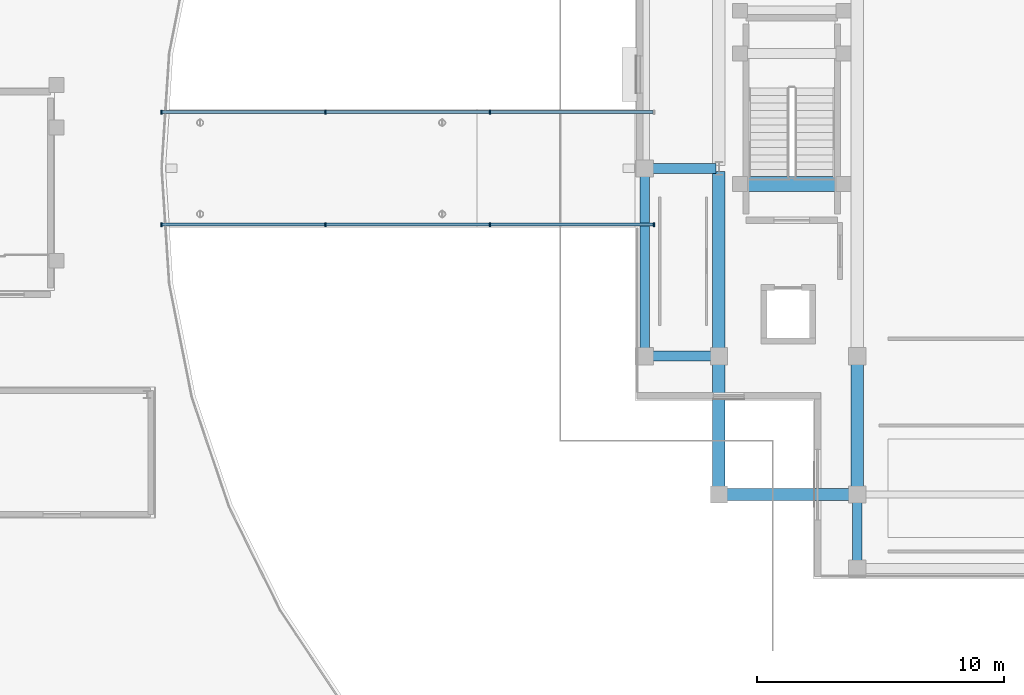
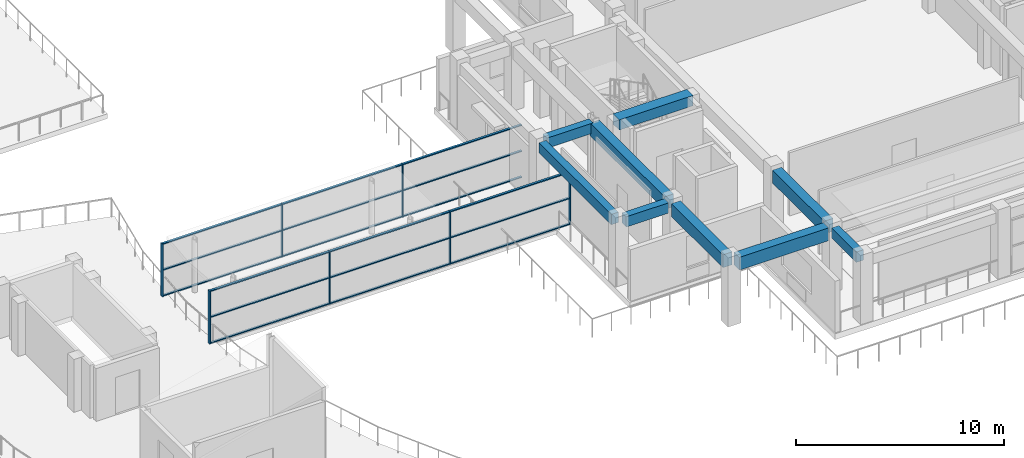
# One storey, part 12 of 53: 25 members, 9 beams, 2 elements without a shape of their own.
"""IFC4 building model written with IfcOpenShell, lengths in metres."""

import ifcopenshell
import ifcopenshell.guid

model = None  # the IFC model being written
_history = None  # IfcOwnerHistory: only IFC2X3 demands one
_inside = {}  # id of a spatial element -> (the spatial element, [elements in it])
_under = {}  # id of a project, library or spatial element -> (it, [spatial elements below it])
_declared = {}  # id of a project -> (the project, [libraries it declares])
_typed = {}  # id of a type object -> (the type object, [elements of that type])
_made_of = {}  # id of a material, layer set ... -> (it, [elements and type objects made of it])


def new_model(schema):
    """Start an empty IFC model of exactly this schema.

    Asked for "IFC4X3", IfcOpenShell would pick the latest addendum, in which some entities
    have other attributes; the version numbers below select the first issue.
    IFC2X3 requires an IfcOwnerHistory on every rooted entity: one is made here for all.
    """
    global model, _history
    if schema == "IFC4X3":
        model = ifcopenshell.file(schema_version=(4, 3, 0, 0))
    else:
        model = ifcopenshell.file(schema=schema)
    _inside.clear()
    _under.clear()
    _declared.clear()
    _typed.clear()
    _made_of.clear()
    _history = None
    if model.schema == "IFC2X3":
        org = make("IfcOrganization", Name="unknown")
        user = make(
            "IfcPersonAndOrganization",
            ThePerson=make("IfcPerson", FamilyName="unknown"),
            TheOrganization=org,
        )
        app = make(
            "IfcApplication",
            ApplicationDeveloper=org,
            Version="unknown",
            ApplicationFullName="unknown",
            ApplicationIdentifier="unknown",
        )
        _history = make(
            "IfcOwnerHistory",
            OwningUser=user,
            OwningApplication=app,
            ChangeAction="ADDED",
            CreationDate=0,
        )
    return model


def make(cls, **values):
    """One entity of the class cls with the attributes given. An attribute that is None is left unset."""
    return model.create_entity(
        cls, **{name: value for name, value in values.items() if value is not None}
    )


def rooted(cls, **values):
    """An entity with a GlobalId (a new one), such as an element, a storey or a relation."""
    return make(cls, GlobalId=ifcopenshell.guid.new(), OwnerHistory=_history, **values)


def si_unit(unit_type, name, prefix=None):
    """IfcSIUnit, for example si_unit("LENGTHUNIT", "METRE", prefix="MILLI")."""
    return make("IfcSIUnit", UnitType=unit_type, Prefix=prefix, Name=name)


def assignment(units):
    """IfcUnitAssignment: the units of a project."""
    return None if units is None else make("IfcUnitAssignment", Units=units)


def point(xyz):
    """IfcCartesianPoint."""
    return None if xyz is None else make("IfcCartesianPoint", Coordinates=xyz)


def direction(xyz):
    """IfcDirection."""
    return None if xyz is None else make("IfcDirection", DirectionRatios=xyz)


def frame(location, z_axis=None, x_axis=None):
    """IfcAxis2Placement3D, a coordinate frame: its origin and axes. An axis left out is left unset."""
    return make(
        "IfcAxis2Placement3D",
        Location=point(location),
        Axis=direction(z_axis),
        RefDirection=direction(x_axis),
    )


def frame_2d(location, x_axis=None):
    """IfcAxis2Placement2D, a coordinate frame in the plane: its origin and x axis."""
    return make(
        "IfcAxis2Placement2D", Location=point(location), RefDirection=direction(x_axis)
    )


def origin():
    """The frame at (0, 0, 0) with its axes left unset."""
    return frame((0.0, 0.0, 0.0))


def origin_2d():
    """The frame at (0, 0) in the plane with its x axis left unset."""
    return frame_2d((0.0, 0.0))


def place(relative_to, where):
    """IfcLocalPlacement: puts the frame where relative to a parent placement (None: the world)."""
    return make(
        "IfcLocalPlacement", PlacementRelTo=relative_to, RelativePlacement=where
    )


def context(
    kind, dimensions, precision=None, world=None, true_north=None, identifier=None
):
    """IfcGeometricRepresentationContext, for example the 3D "Model" context."""
    return make(
        "IfcGeometricRepresentationContext",
        ContextIdentifier=identifier,
        ContextType=kind,
        CoordinateSpaceDimension=dimensions,
        Precision=precision,
        WorldCoordinateSystem=world,
        TrueNorth=true_north,
    )


def subcontext(parent, identifier, kind, view, scale=None):
    """IfcGeometricRepresentationSubContext, for example "Body" below "Model"."""
    return make(
        "IfcGeometricRepresentationSubContext",
        ContextIdentifier=identifier,
        ContextType=kind,
        ParentContext=parent,
        TargetScale=scale,
        TargetView=view,
    )


def project(units=None, contexts=None):
    """IfcProject with its units and contexts."""
    return rooted(
        "IfcProject",
        Name="project",
        RepresentationContexts=contexts,
        UnitsInContext=assignment(units),
    )


def spatial(cls, under=None, at=None, **own):
    """A site, building, storey or space (cls), placed at a placement, below another one or the project."""
    s = rooted(cls, ObjectPlacement=at, **own)
    if under is not None:
        _under.setdefault(under.id(), (under, []))[1].append(s)
    return s


def profile(cls, at=None, kind="AREA", **sizes):
    """A parametric profile (cls). Its sizes go by their IFC names, for example OverallWidth=200.0."""
    return make(cls, ProfileType=kind, Position=at, **sizes)


def rectangle(**sizes):
    """IfcRectangleProfileDef."""
    return profile("IfcRectangleProfileDef", **sizes)


def extrude(swept, where, along, depth):
    """IfcExtrudedAreaSolid: the profile swept, set in the frame where, extruded along a direction by depth."""
    return make(
        "IfcExtrudedAreaSolid",
        SweptArea=swept,
        Position=where,
        ExtrudedDirection=direction(along),
        Depth=depth,
    )


def shape(context_of_items, identifier, shape_type, items):
    """IfcShapeRepresentation: the items that make up one representation, for example the "Body"."""
    return make(
        "IfcShapeRepresentation",
        ContextOfItems=context_of_items,
        RepresentationIdentifier=identifier,
        RepresentationType=shape_type,
        Items=items,
    )


def material(Name=None, Category=None):
    """IfcMaterial."""
    return make("IfcMaterial", Name=Name, Category=Category)


def material_profile(
    of_material, cross_section, Name=None, Category=None, Priority=None
):
    """IfcMaterialProfile: a cross section and its material."""
    return make(
        "IfcMaterialProfile",
        Name=Name,
        Material=of_material,
        Profile=cross_section,
        Priority=Priority,
        Category=Category,
    )


def profile_set(profiles, Name=None, composite=None):
    """IfcMaterialProfileSet."""
    return make(
        "IfcMaterialProfileSet",
        Name=Name,
        MaterialProfiles=profiles,
        CompositeProfile=composite,
    )


def made_of(thing, what):
    """Note that an element or type object is made of a material, layer set ...; save() writes the relation."""
    if what is not None:
        _made_of.setdefault(what.id(), (what, []))[1].append(thing)
    return thing


def type_object(cls, material=None, **own):
    """A type object (cls), such as IfcWallType, which elements share."""
    return made_of(rooted(cls, **own), material)


def element(
    cls,
    number,
    at=None,
    inside=None,
    cuts=None,
    type_object=None,
    material=None,
    context=None,
    identifier="Body",
    shape_type=None,
    held_by="IfcProductDefinitionShape",
    body=None,
    shapes=None,
    **own,
):
    """One element of the class cls, such as IfcWall. Its Tag is "e" and its number.

    at: its placement. inside: the storey or other place that contains it. cuts: it is an
    opening in that element (IfcRelVoidsElement). A single representation is given by context,
    identifier, shape_type and body (its items); several are given by shapes. held_by: the class
    of the entity that holds the representations. save() writes the other relations.
    """
    e = rooted(cls, Tag="e%d" % number, ObjectPlacement=at, **own)
    if body is not None:
        shapes = [shape(context, identifier, shape_type, body)]
    if shapes is not None:
        e.Representation = make(held_by, Representations=shapes)
    if inside is not None:
        _inside.setdefault(inside.id(), (inside, []))[1].append(e)
    if cuts is not None:
        rooted(
            "IfcRelVoidsElement", RelatingBuildingElement=cuts, RelatedOpeningElement=e
        )
    if type_object is not None:
        _typed.setdefault(type_object.id(), (type_object, []))[1].append(e)
    return made_of(e, material)


def aggregate(whole, parts):
    """IfcRelAggregates: a whole, such as a stair, and the parts it consists of."""
    return rooted("IfcRelAggregates", RelatingObject=whole, RelatedObjects=parts)


def save(model, path):
    """Write the relations noted so far, then the file.

    IfcRelAggregates (storeys below a building ...), IfcRelContainedInSpatialStructure (elements
    in a storey), IfcRelDefinesByType, IfcRelAssociatesMaterial and IfcRelDeclares: one each for
    every whole, place, type object, material and project.
    """
    for whole, parts in _under.values():
        aggregate(whole, parts)
    for where, things in _inside.values():
        rooted(
            "IfcRelContainedInSpatialStructure",
            RelatedElements=things,
            RelatingStructure=where,
        )
    for kind, things in _typed.values():
        rooted("IfcRelDefinesByType", RelatedObjects=things, RelatingType=kind)
    for what, things in _made_of.values():
        rooted("IfcRelAssociatesMaterial", RelatedObjects=things, RelatingMaterial=what)
    for by, libraries in _declared.values():
        rooted("IfcRelDeclares", RelatingContext=by, RelatedDefinitions=libraries)
    model.write(path)


model = new_model("IFC4")

# Units and contexts
model_context = context("Model", 3, precision=1e-05, world=origin(), true_north=direction((0.0, 1.0)))
body_context = subcontext(model_context, "Body", "Model", "MODEL_VIEW")
ifc_project = project(units=[si_unit("LENGTHUNIT", "METRE"), si_unit("AREAUNIT", "SQUARE_METRE"), si_unit("VOLUMEUNIT", "CUBIC_METRE"), si_unit("PLANEANGLEUNIT", "RADIAN"), si_unit("MASSUNIT", "GRAM", prefix="KILO")], contexts=[model_context])

# Site, building, storey
site_placement = place(None, origin())
site = spatial("IfcSite", under=ifc_project, at=site_placement, CompositionType="ELEMENT")
building_placement = place(site_placement, origin())
building = spatial("IfcBuilding", under=site, at=building_placement, Name="Saryqyr Civic Hall", CompositionType="ELEMENT")
storey_placement = place(building_placement, frame((0.0, 0.0, 21.300048828125)))
storey = spatial("IfcBuildingStorey", under=building, at=storey_placement, Name="L05", CompositionType="ELEMENT", Elevation=21.300048828125)

# Curtain wall, members
ifc_material_1 = material(Name="Anodised aluminium and triple low-E glass", Category="aluminium")
curtain_wall_type = type_object("IfcCurtainWallType", Name="ENV-CW-STD-86", PredefinedType="NOTDEFINED", material=ifc_material_1)
curtain_wall_1_placement = place(storey_placement, origin())
curtain_wall_1 = element("IfcCurtainWall", 1, at=curtain_wall_1_placement, inside=storey, type_object=curtain_wall_type, Name="Curtain wall BR-CW-CW1-L05", PredefinedType="NOTDEFINED")
ifc_material_2 = material(Name="Anodised aluminium", Category="aluminium")
ifc_material_profile_1 = material_profile(ifc_material_2, rectangle(XDim=0.06005859375, YDim=0.159912109375, at=origin_2d()), Name="ALU MULLION 60x160")
ifc_profile_set_1 = profile_set([ifc_material_profile_1], Name="Anodised aluminium")
member_type_1 = type_object("IfcMemberType", Name="ENV-CW-MUL-180", PredefinedType="MULLION", material=ifc_profile_set_1)
member_1_placement = place(storey_placement, frame((41.169921875, 81.719970703125, 0.0), z_axis=(0.0, 0.0, 1.0), x_axis=(-1.0, 0.0, 0.0)))
member_1 = element("IfcMember", 2, at=member_1_placement, type_object=member_type_1, Name="CW-86 mullion 1", PredefinedType="MULLION", context=body_context, shape_type="SweptSolid", body=[
    extrude(rectangle(XDim=0.06005859375, YDim=0.159912109375, at=origin_2d()), origin(), (0.0, 0.0, 1.0), 3.099853515625),
])
member_2_placement = place(storey_placement, frame((34.533447265625, 81.719970703125, 0.0), z_axis=(0.0, 0.0, 1.0), x_axis=(-1.0, 0.0, 0.0)))
member_2 = element("IfcMember", 3, at=member_2_placement, type_object=member_type_1, Name="CW-86 mullion 2", PredefinedType="MULLION", context=body_context, shape_type="SweptSolid", body=[
    extrude(rectangle(XDim=0.06005859375, YDim=0.159912109375, at=origin_2d()), origin(), (0.0, 0.0, 1.0), 3.099853515625),
])
member_3_placement = place(storey_placement, frame((27.86669921875, 81.719970703125, 0.0), z_axis=(0.0, 0.0, 1.0), x_axis=(-1.0, 0.0, 0.0)))
member_3 = element("IfcMember", 4, at=member_3_placement, type_object=member_type_1, Name="CW-86 mullion 3", PredefinedType="MULLION", context=body_context, shape_type="SweptSolid", body=[
    extrude(rectangle(XDim=0.06005859375, YDim=0.159912109375, at=origin_2d()), origin(), (0.0, 0.0, 1.0), 3.099853515625),
])
member_4_placement = place(storey_placement, frame((21.22998046875, 81.719970703125, 0.0), z_axis=(0.0, 0.0, 1.0), x_axis=(-1.0, 0.0, 0.0)))
member_4 = element("IfcMember", 5, at=member_4_placement, type_object=member_type_1, Name="CW-86 mullion 4", PredefinedType="MULLION", context=body_context, shape_type="SweptSolid", body=[
    extrude(rectangle(XDim=0.06005859375, YDim=0.159912109375, at=origin_2d()), origin(), (0.0, 0.0, 1.0), 3.099853515625),
])

curtain_wall_2_placement = place(storey_placement, origin())
curtain_wall_2 = element("IfcCurtainWall", 6, at=curtain_wall_2_placement, inside=storey, type_object=curtain_wall_type, Name="Curtain wall BR-CW-CW2-L05", PredefinedType="NOTDEFINED")
member_5_placement = place(storey_placement, frame((21.22998046875, 86.280029296875, 0.0), z_axis=(0.0, 0.0, 1.0), x_axis=(1.0, 0.0, 0.0)))
member_5 = element("IfcMember", 7, at=member_5_placement, type_object=member_type_1, Name="CW-86 mullion 1", PredefinedType="MULLION", context=body_context, shape_type="SweptSolid", body=[
    extrude(rectangle(XDim=0.06005859375, YDim=0.159912109375, at=origin_2d()), origin(), (0.0, 0.0, 1.0), 3.099853515625),
])
member_6_placement = place(storey_placement, frame((27.86669921875, 86.280029296875, 0.0), z_axis=(0.0, 0.0, 1.0), x_axis=(1.0, 0.0, 0.0)))
member_6 = element("IfcMember", 8, at=member_6_placement, type_object=member_type_1, Name="CW-86 mullion 2", PredefinedType="MULLION", context=body_context, shape_type="SweptSolid", body=[
    extrude(rectangle(XDim=0.06005859375, YDim=0.159912109375, at=origin_2d()), origin(), (0.0, 0.0, 1.0), 3.099853515625),
])
member_7_placement = place(storey_placement, frame((34.533447265625, 86.280029296875, 0.0), z_axis=(0.0, 0.0, 1.0), x_axis=(1.0, 0.0, 0.0)))
member_7 = element("IfcMember", 9, at=member_7_placement, type_object=member_type_1, Name="CW-86 mullion 3", PredefinedType="MULLION", context=body_context, shape_type="SweptSolid", body=[
    extrude(rectangle(XDim=0.06005859375, YDim=0.159912109375, at=origin_2d()), origin(), (0.0, 0.0, 1.0), 3.099853515625),
])

# Member
ifc_material_profile_2 = material_profile(ifc_material_2, rectangle(XDim=0.1201171875, YDim=0.06005859375, at=origin_2d()), Name="ALU TRANSOM 120x60")
ifc_profile_set_2 = profile_set([ifc_material_profile_2], Name="Anodised aluminium")
member_type_2 = type_object("IfcMemberType", Name="ENV-CW-TRN-150", PredefinedType="USERDEFINED", material=ifc_profile_set_2)
member_8_placement = place(storey_placement, frame((41.139892578125, 81.719970703125, 0.030029296875), z_axis=(-1.0, 0.0, 0.0), x_axis=(0.0, -1.0, 0.0)))
member_8 = element("IfcMember", 10, at=member_8_placement, type_object=member_type_2, Name="CW-86 transom 1.1", ObjectType="TRANSOM", PredefinedType="USERDEFINED", context=body_context, shape_type="SweptSolid", body=[
    extrude(rectangle(XDim=0.1201171875, YDim=0.06005859375, at=origin_2d()), origin(), (0.0, 0.0, 1.0), 6.57666015625),
])

member_9_placement = place(storey_placement, frame((41.139892578125, 81.719970703125, 1.550048828125), z_axis=(-1.0, 0.0, 0.0), x_axis=(0.0, -1.0, 0.0)))
member_9 = element("IfcMember", 11, at=member_9_placement, type_object=member_type_2, Name="CW-86 transom 1.2", ObjectType="TRANSOM", PredefinedType="USERDEFINED", context=body_context, shape_type="SweptSolid", body=[
    extrude(rectangle(XDim=0.1201171875, YDim=0.06005859375, at=origin_2d()), origin(), (0.0, 0.0, 1.0), 6.57666015625),
])

member_10_placement = place(storey_placement, frame((41.139892578125, 81.719970703125, 3.070068359375), z_axis=(-1.0, 0.0, 0.0), x_axis=(0.0, -1.0, 0.0)))
member_10 = element("IfcMember", 12, at=member_10_placement, type_object=member_type_2, Name="CW-86 transom 1.3", ObjectType="TRANSOM", PredefinedType="USERDEFINED", context=body_context, shape_type="SweptSolid", body=[
    extrude(rectangle(XDim=0.1201171875, YDim=0.06005859375, at=origin_2d()), origin(), (0.0, 0.0, 1.0), 6.57666015625),
])

member_11_placement = place(storey_placement, frame((34.50341796875, 81.719970703125, 0.030029296875), z_axis=(-1.0, 0.0, 0.0), x_axis=(0.0, -1.0, 0.0)))
member_11 = element("IfcMember", 13, at=member_11_placement, type_object=member_type_2, Name="CW-86 transom 2.1", ObjectType="TRANSOM", PredefinedType="USERDEFINED", context=body_context, shape_type="SweptSolid", body=[
    extrude(rectangle(XDim=0.1201171875, YDim=0.06005859375, at=origin_2d()), origin(), (0.0, 0.0, 1.0), 6.606689453125),
])

member_12_placement = place(storey_placement, frame((34.50341796875, 81.719970703125, 1.550048828125), z_axis=(-1.0, 0.0, 0.0), x_axis=(0.0, -1.0, 0.0)))
member_12 = element("IfcMember", 14, at=member_12_placement, type_object=member_type_2, Name="CW-86 transom 2.2", ObjectType="TRANSOM", PredefinedType="USERDEFINED", context=body_context, shape_type="SweptSolid", body=[
    extrude(rectangle(XDim=0.1201171875, YDim=0.06005859375, at=origin_2d()), origin(), (0.0, 0.0, 1.0), 6.606689453125),
])

member_13_placement = place(storey_placement, frame((34.50341796875, 81.719970703125, 3.070068359375), z_axis=(-1.0, 0.0, 0.0), x_axis=(0.0, -1.0, 0.0)))
member_13 = element("IfcMember", 15, at=member_13_placement, type_object=member_type_2, Name="CW-86 transom 2.3", ObjectType="TRANSOM", PredefinedType="USERDEFINED", context=body_context, shape_type="SweptSolid", body=[
    extrude(rectangle(XDim=0.1201171875, YDim=0.06005859375, at=origin_2d()), origin(), (0.0, 0.0, 1.0), 6.606689453125),
])

member_14_placement = place(storey_placement, frame((27.836669921875, 81.719970703125, 0.030029296875), z_axis=(-1.0, 0.0, 0.0), x_axis=(0.0, -1.0, 0.0)))
member_14 = element("IfcMember", 16, at=member_14_placement, type_object=member_type_2, Name="CW-86 transom 3.1", ObjectType="TRANSOM", PredefinedType="USERDEFINED", context=body_context, shape_type="SweptSolid", body=[
    extrude(rectangle(XDim=0.1201171875, YDim=0.06005859375, at=origin_2d()), origin(), (0.0, 0.0, 1.0), 6.57666015625),
])

member_15_placement = place(storey_placement, frame((27.836669921875, 81.719970703125, 1.550048828125), z_axis=(-1.0, 0.0, 0.0), x_axis=(0.0, -1.0, 0.0)))
member_15 = element("IfcMember", 17, at=member_15_placement, type_object=member_type_2, Name="CW-86 transom 3.2", ObjectType="TRANSOM", PredefinedType="USERDEFINED", context=body_context, shape_type="SweptSolid", body=[
    extrude(rectangle(XDim=0.1201171875, YDim=0.06005859375, at=origin_2d()), origin(), (0.0, 0.0, 1.0), 6.57666015625),
])

member_16_placement = place(storey_placement, frame((27.836669921875, 81.719970703125, 3.070068359375), z_axis=(-1.0, 0.0, 0.0), x_axis=(0.0, -1.0, 0.0)))
member_16 = element("IfcMember", 18, at=member_16_placement, type_object=member_type_2, Name="CW-86 transom 3.3", ObjectType="TRANSOM", PredefinedType="USERDEFINED", context=body_context, shape_type="SweptSolid", body=[
    extrude(rectangle(XDim=0.1201171875, YDim=0.06005859375, at=origin_2d()), origin(), (0.0, 0.0, 1.0), 6.57666015625),
])

aggregate(curtain_wall_1, [member_1, member_2, member_3, member_4, member_8, member_9, member_10, member_11, member_12, member_13, member_14, member_15, member_16])

member_17_placement = place(storey_placement, frame((21.260009765625, 86.280029296875, 0.030029296875), z_axis=(1.0, 0.0, 0.0), x_axis=(0.0, 1.0, 0.0)))
member_17 = element("IfcMember", 19, at=member_17_placement, type_object=member_type_2, Name="CW-86 transom 1.1", ObjectType="TRANSOM", PredefinedType="USERDEFINED", context=body_context, shape_type="SweptSolid", body=[
    extrude(rectangle(XDim=0.1201171875, YDim=0.06005859375, at=origin_2d()), origin(), (0.0, 0.0, 1.0), 6.57666015625),
])

member_18_placement = place(storey_placement, frame((21.260009765625, 86.280029296875, 1.550048828125), z_axis=(1.0, 0.0, 0.0), x_axis=(0.0, 1.0, 0.0)))
member_18 = element("IfcMember", 20, at=member_18_placement, type_object=member_type_2, Name="CW-86 transom 1.2", ObjectType="TRANSOM", PredefinedType="USERDEFINED", context=body_context, shape_type="SweptSolid", body=[
    extrude(rectangle(XDim=0.1201171875, YDim=0.06005859375, at=origin_2d()), origin(), (0.0, 0.0, 1.0), 6.57666015625),
])

member_19_placement = place(storey_placement, frame((21.260009765625, 86.280029296875, 3.070068359375), z_axis=(1.0, 0.0, 0.0), x_axis=(0.0, 1.0, 0.0)))
member_19 = element("IfcMember", 21, at=member_19_placement, type_object=member_type_2, Name="CW-86 transom 1.3", ObjectType="TRANSOM", PredefinedType="USERDEFINED", context=body_context, shape_type="SweptSolid", body=[
    extrude(rectangle(XDim=0.1201171875, YDim=0.06005859375, at=origin_2d()), origin(), (0.0, 0.0, 1.0), 6.57666015625),
])

member_20_placement = place(storey_placement, frame((27.896728515625, 86.280029296875, 0.030029296875), z_axis=(1.0, 0.0, 0.0), x_axis=(0.0, 1.0, 0.0)))
member_20 = element("IfcMember", 22, at=member_20_placement, type_object=member_type_2, Name="CW-86 transom 2.1", ObjectType="TRANSOM", PredefinedType="USERDEFINED", context=body_context, shape_type="SweptSolid", body=[
    extrude(rectangle(XDim=0.1201171875, YDim=0.06005859375, at=origin_2d()), origin(), (0.0, 0.0, 1.0), 6.606689453125),
])

member_21_placement = place(storey_placement, frame((27.896728515625, 86.280029296875, 1.550048828125), z_axis=(1.0, 0.0, 0.0), x_axis=(0.0, 1.0, 0.0)))
member_21 = element("IfcMember", 23, at=member_21_placement, type_object=member_type_2, Name="CW-86 transom 2.2", ObjectType="TRANSOM", PredefinedType="USERDEFINED", context=body_context, shape_type="SweptSolid", body=[
    extrude(rectangle(XDim=0.1201171875, YDim=0.06005859375, at=origin_2d()), origin(), (0.0, 0.0, 1.0), 6.606689453125),
])

member_22_placement = place(storey_placement, frame((27.896728515625, 86.280029296875, 3.070068359375), z_axis=(1.0, 0.0, 0.0), x_axis=(0.0, 1.0, 0.0)))
member_22 = element("IfcMember", 24, at=member_22_placement, type_object=member_type_2, Name="CW-86 transom 2.3", ObjectType="TRANSOM", PredefinedType="USERDEFINED", context=body_context, shape_type="SweptSolid", body=[
    extrude(rectangle(XDim=0.1201171875, YDim=0.06005859375, at=origin_2d()), origin(), (0.0, 0.0, 1.0), 6.606689453125),
])

member_23_placement = place(storey_placement, frame((34.563232421875, 86.280029296875, 0.030029296875), z_axis=(1.0, 0.0, 0.0), x_axis=(0.0, 1.0, 0.0)))
member_23 = element("IfcMember", 25, at=member_23_placement, type_object=member_type_2, Name="CW-86 transom 3.1", ObjectType="TRANSOM", PredefinedType="USERDEFINED", context=body_context, shape_type="SweptSolid", body=[
    extrude(rectangle(XDim=0.1201171875, YDim=0.06005859375, at=origin_2d()), origin(), (0.0, 0.0, 1.0), 6.57666015625),
])

member_24_placement = place(storey_placement, frame((34.563232421875, 86.280029296875, 1.550048828125), z_axis=(1.0, 0.0, 0.0), x_axis=(0.0, 1.0, 0.0)))
member_24 = element("IfcMember", 26, at=member_24_placement, type_object=member_type_2, Name="CW-86 transom 3.2", ObjectType="TRANSOM", PredefinedType="USERDEFINED", context=body_context, shape_type="SweptSolid", body=[
    extrude(rectangle(XDim=0.1201171875, YDim=0.06005859375, at=origin_2d()), origin(), (0.0, 0.0, 1.0), 6.57666015625),
])

member_25_placement = place(storey_placement, frame((34.563232421875, 86.280029296875, 3.070068359375), z_axis=(1.0, 0.0, 0.0), x_axis=(0.0, 1.0, 0.0)))
member_25 = element("IfcMember", 27, at=member_25_placement, type_object=member_type_2, Name="CW-86 transom 3.3", ObjectType="TRANSOM", PredefinedType="USERDEFINED", context=body_context, shape_type="SweptSolid", body=[
    extrude(rectangle(XDim=0.1201171875, YDim=0.06005859375, at=origin_2d()), origin(), (0.0, 0.0, 1.0), 6.57666015625),
])

aggregate(curtain_wall_2, [member_5, member_6, member_7, member_17, member_18, member_19, member_20, member_21, member_22, member_23, member_24, member_25])

# Beams
ifc_material_3 = material(Name="Concrete C35/45", Category="concrete")
ifc_material_profile_3 = material_profile(ifc_material_3, rectangle(XDim=0.39990234375, YDim=0.60009765625, at=origin_2d()), Name="RC 400x600")
ifc_profile_set_3 = profile_set([ifc_material_profile_3], Name="Concrete C35/45")
beam_type_1 = type_object("IfcBeamType", Name="STR-BM-RC400x600", PredefinedType="BEAM", material=ifc_profile_set_3)
beam_1_placement = place(storey_placement, frame((41.125, 76.39990234375, 3.489990234375), z_axis=(1.0, 0.0, 0.0), x_axis=(0.0, 1.0, 0.0)))
element("IfcBeam", 28, at=beam_1_placement, inside=storey, type_object=beam_type_1, Name="Beam V1-TBM-01-L05", PredefinedType="BEAM", context=body_context, shape_type="SweptSolid", body=[
    extrude(rectangle(XDim=0.39990234375, YDim=0.60009765625, at=origin_2d()), origin(), (0.0, 0.0, 1.0), 2.35009765625),
])
beam_2_placement = place(storey_placement, frame((41.125, 84.0, 3.489990234375), z_axis=(1.0, 0.0, 0.0), x_axis=(0.0, 1.0, 0.0)))
element("IfcBeam", 29, at=beam_2_placement, inside=storey, type_object=beam_type_1, Name="Beam V1-TBM-02-L05", PredefinedType="BEAM", context=body_context, shape_type="SweptSolid", body=[
    extrude(rectangle(XDim=0.39990234375, YDim=0.60009765625, at=origin_2d()), origin(), (0.0, 0.0, 1.0), 2.550048828125),
])
beam_3_placement = place(storey_placement, frame((49.39990234375, 68.125, 3.489990234375), z_axis=(0.0, 1.0, 0.0), x_axis=(-1.0, 0.0, 0.0)))
element("IfcBeam", 30, at=beam_3_placement, inside=storey, type_object=beam_type_1, Name="Beam V1-TBM-07-L05", PredefinedType="BEAM", context=body_context, shape_type="SweptSolid", body=[
    extrude(rectangle(XDim=0.39990234375, YDim=0.60009765625, at=origin_2d()), origin(), (0.0, 0.0, 1.0), 2.35009765625),
])
beam_4_placement = place(storey_placement, frame((40.800048828125, 76.72509765625, 3.489990234375), z_axis=(0.0, 1.0, 0.0), x_axis=(-1.0, 0.0, 0.0)))
element("IfcBeam", 31, at=beam_4_placement, inside=storey, type_object=beam_type_1, Name="Beam V1-TBM-11-L05", PredefinedType="BEAM", context=body_context, shape_type="SweptSolid", body=[
    extrude(rectangle(XDim=0.39990234375, YDim=0.60009765625, at=origin_2d()), origin(), (0.0, 0.0, 1.0), 6.949951171875),
])
ifc_material_4 = material(Name="Concrete C40/50", Category="concrete")
ifc_material_profile_4 = material_profile(ifc_material_4, rectangle(XDim=0.5, YDim=0.75, at=origin_2d()), Name="RC 500x750")
ifc_profile_set_4 = profile_set([ifc_material_profile_4], Name="Concrete C40/50")
beam_type_2 = type_object("IfcBeamType", Name="STR-BM-RC500x750", PredefinedType="BEAM", material=ifc_profile_set_4)
for number, where, z_axis, x_axis, name in (
    (32, (44.125, 70.800048828125, 3.4150390625), (1.0, 0.0, 0.0), (0.0, 1.0, 0.0), "Beam V1-WBM-W1-L05"),
    (33, (43.800048828125, 71.125, 3.4150390625), (0.0, 1.0, 0.0), (-1.0, 0.0, 0.0), "Beam V1-BM-NS11-L05"),
):
    element("IfcBeam", number, at=place(storey_placement, frame(where, z_axis=z_axis, x_axis=x_axis)), inside=storey, type_object=beam_type_2, Name=name, PredefinedType="BEAM", context=body_context, shape_type="SweptSolid", body=[
        extrude(rectangle(XDim=0.5, YDim=0.75, at=origin_2d()), origin(), (0.0, 0.0, 1.0), 4.949951171875),
    ])
beam_5_placement = place(storey_placement, frame((43.800048828125, 76.72509765625, 3.4150390625), z_axis=(0.0, 1.0, 0.0), x_axis=(-1.0, 0.0, 0.0)))
element("IfcBeam", 34, at=beam_5_placement, inside=storey, type_object=beam_type_2, Name="Beam V1-BM-NS1A-L05", PredefinedType="BEAM", context=body_context, shape_type="SweptSolid", body=[
    extrude(rectangle(XDim=0.5, YDim=0.75, at=origin_2d()), origin(), (0.0, 0.0, 1.0), 7.14990234375),
])
beam_6_placement = place(storey_placement, frame((49.39990234375, 71.125, 3.4150390625), z_axis=(0.0, 1.0, 0.0), x_axis=(-1.0, 0.0, 0.0)))
element("IfcBeam", 35, at=beam_6_placement, inside=storey, type_object=beam_type_2, Name="Beam V1-BM-NS21-L05", PredefinedType="BEAM", context=body_context, shape_type="SweptSolid", body=[
    extrude(rectangle(XDim=0.5, YDim=0.75, at=origin_2d()), origin(), (0.0, 0.0, 1.0), 4.949951171875),
])
ifc_material_profile_5 = material_profile(ifc_material_4, rectangle(XDim=0.60009765625, YDim=0.60009765625, at=origin_2d()), Name="RC 600x600")
ifc_profile_set_5 = profile_set([ifc_material_profile_5], Name="Concrete C40/50")
beam_type_3 = type_object("IfcBeamType", Name="STR-BM-RC600x600", PredefinedType="BEAM", material=ifc_profile_set_5)
beam_7_placement = place(storey_placement, frame((48.800048828125, 83.364990234375, 3.75), z_axis=(-1.0, 0.0, 0.0), x_axis=(0.0, -1.0, 0.0)))
element("IfcBeam", 36, at=beam_7_placement, inside=storey, type_object=beam_type_3, Name="Stair well trimmer beam ST-1-L06", PredefinedType="BEAM", context=body_context, shape_type="SweptSolid", body=[
    extrude(rectangle(XDim=0.60009765625, YDim=0.60009765625, at=origin_2d()), origin(), (0.0, 0.0, 1.0), 4.10009765625),
])

save(model, "model.ifc")
